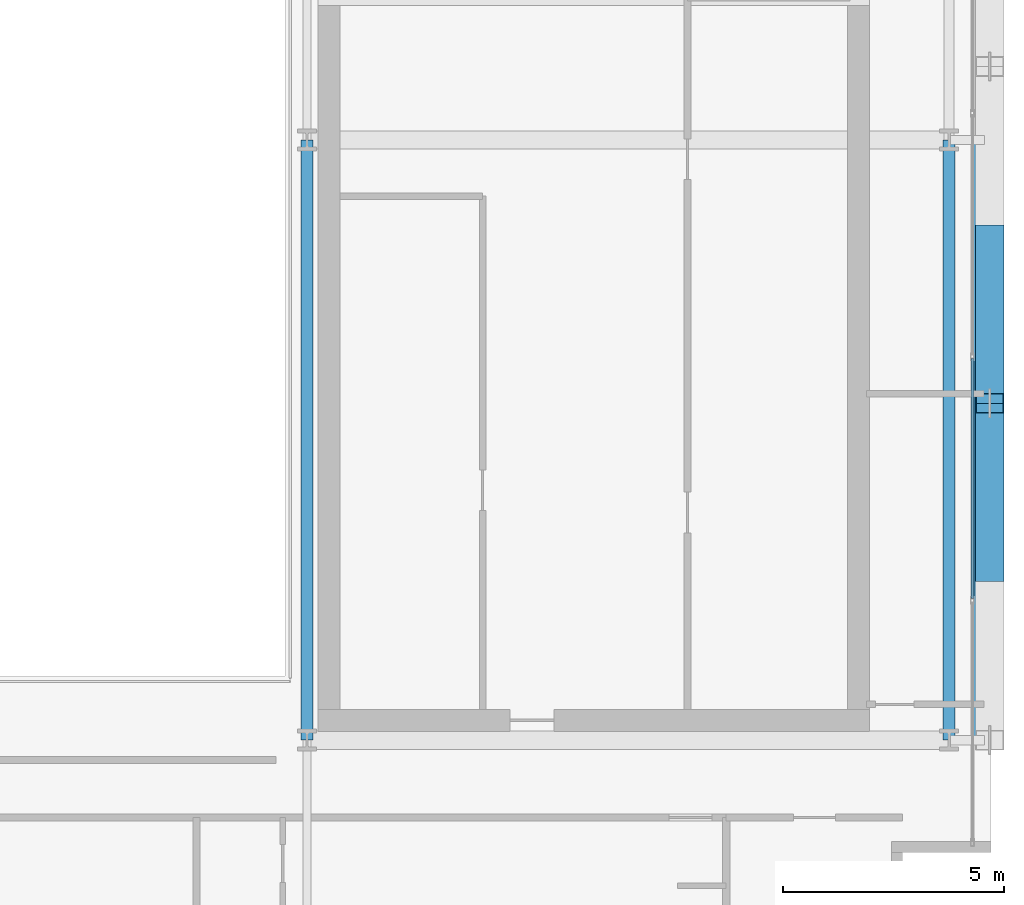
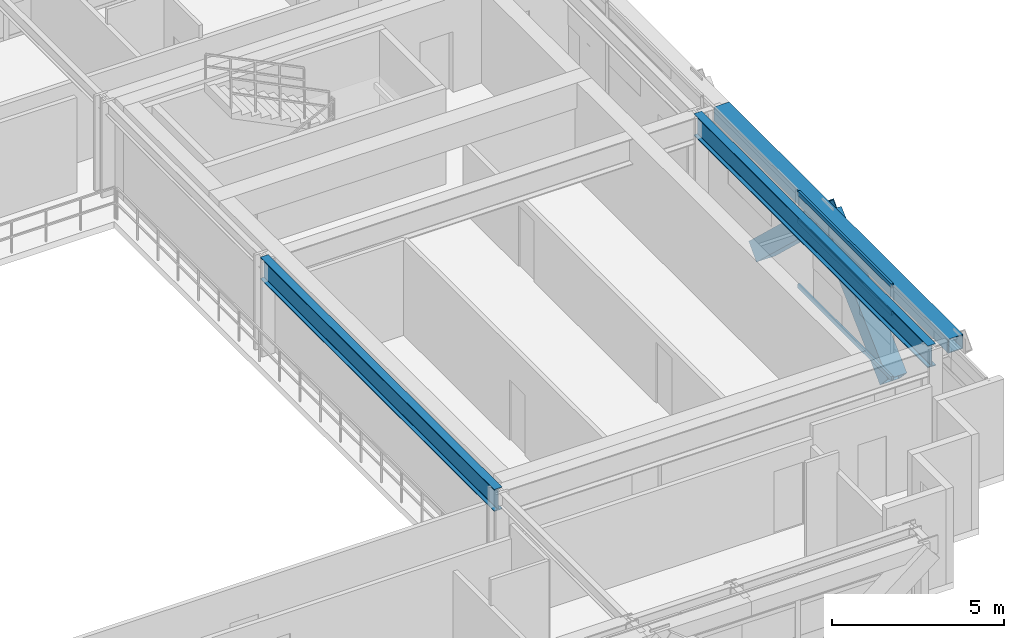
# One storey, part 12 of 34: 5 members, 3 beams, 1 element without a shape of its own.
"""IFC4 building model written with IfcOpenShell, lengths in metres."""

from ifc_helpers import new_model, si_unit, direction, frame, origin, origin_2d, place, context, subcontext, project, spatial, hollow_rectangle, i_section, extrude, source, transform, mapped, material, layer, layer_set, material_profile, profile_set, type_object, element, aggregate, save


model = new_model("IFC4")

# Units and contexts
model_context = context("Model", 3, precision=1e-05, world=origin(), true_north=direction((0.0, 1.0)))
body_context = subcontext(model_context, "Body", "Model", "MODEL_VIEW")
ifc_project = project(units=[si_unit("LENGTHUNIT", "METRE"), si_unit("AREAUNIT", "SQUARE_METRE"), si_unit("VOLUMEUNIT", "CUBIC_METRE"), si_unit("PLANEANGLEUNIT", "RADIAN"), si_unit("MASSUNIT", "GRAM", prefix="KILO")], contexts=[model_context])

# Site, building, storey
site_placement = place(None, origin())
site = spatial("IfcSite", under=ifc_project, at=site_placement, CompositionType="ELEMENT")
building_placement = place(site_placement, origin())
building = spatial("IfcBuilding", under=site, at=building_placement, Name="Ocotamira Hotel", CompositionType="ELEMENT")
storey_placement = place(building_placement, frame((0.0, 0.0, 163.199951171875)))
storey = spatial("IfcBuildingStorey", under=building, at=storey_placement, Name="L40", CompositionType="ELEMENT", Elevation=163.199951171875)

# Beams
ifc_material_1 = material(Name="Steel ASTM A992 Grade 50", Category="steel")
ifc_material_profile_1 = material_profile(ifc_material_1, i_section(OverallWidth=0.26611328125, OverallDepth=0.779052734375, WebThickness=0.0166015625, FlangeThickness=0.030029296875, FilletRadius=0.01806640625, at=origin_2d()), Name="W30X148")
ifc_profile_set_1 = profile_set([ifc_material_profile_1], Name="Steel ASTM A992 Grade 50")
beam_type_1 = type_object("IfcBeamType", Name="BM-GIRD-W30X148", PredefinedType="BEAM", material=ifc_profile_set_1)
shared_shape_1 = source(origin(), body_context, "Body", "SweptSolid", [
    extrude(i_section(OverallWidth=0.26611328125, OverallDepth=0.779052734375, WebThickness=0.0166015625, FlangeThickness=0.030029296875, FilletRadius=0.01806640625, at=origin_2d()), origin(), (0.0, 0.0, 1.0), 13.599853515625),
])
for number, where, z_axis, x_axis, name in (
    (1, (40.5, 14.550048828125, 2.98046875), (0.0, 1.0, 0.0), (-1.0, 0.0, 0.0), "L40 Beam X40.5 Y14.55-28.15"),
    (2, (55.050048828125, 14.550048828125, 2.98046875), (0.0, 1.0, 0.0), (-1.0, 0.0, 0.0), "L40 Beam X55.05 Y14.55-28.15"),
):
    element("IfcBeam", number, at=place(storey_placement, frame(where, z_axis=z_axis, x_axis=x_axis)), inside=storey, type_object=beam_type_1, Name=name, PredefinedType="BEAM", context=body_context, shape_type="MappedRepresentation", body=[
        mapped(shared_shape_1, transform((0.0, 0.0, 0.0), scale=1.0)),
    ])
ifc_material_2 = material(Name="Steel ASTM A500 Grade C", Category="steel")
ifc_material_profile_2 = material_profile(ifc_material_2, hollow_rectangle(XDim=0.5, YDim=0.5, WallThickness=0.02001953125, at=origin_2d()), Name="HSS500X500X20")
ifc_profile_set_2 = profile_set([ifc_material_profile_2], Name="Steel ASTM A500 Grade C")
beam_type_2 = type_object("IfcBeamType", Name="BM-SPAN-HSS500", PredefinedType="USERDEFINED", material=ifc_profile_set_2)
shared_shape_2 = source(origin(), body_context, "Body", "SweptSolid", [
    extrude(hollow_rectangle(XDim=0.5, YDim=0.5, WallThickness=0.02001953125, at=origin_2d()), origin(), (0.0, 0.0, 1.0), 13.599853515625),
])
beam_placement = place(storey_placement, frame((55.85009765625, 14.550048828125, 3.1201171875), z_axis=(0.0, 1.0, 0.0), x_axis=(-1.0, 0.0, 0.0)))
element("IfcBeam", 3, at=beam_placement, inside=storey, type_object=beam_type_2, Name="L40 Edge Spandrel E Y14.55-28.15", ObjectType="SPANDREL", PredefinedType="USERDEFINED", context=body_context, shape_type="MappedRepresentation", body=[
    mapped(shared_shape_2, transform((0.0, 0.0, 0.0), scale=1.0)),
])

# Members
ifc_material_3 = material(Name="Pale-metal coated steel ASTM A913 Grade 65", Category="steel")
ifc_material_profile_3 = material_profile(ifc_material_3, hollow_rectangle(XDim=0.64990234375, YDim=0.64990234375, WallThickness=0.02197265625, at=origin_2d()), Name="BOX650X650X22")
ifc_profile_set_3 = profile_set([ifc_material_profile_3], Name="Pale-metal coated steel ASTM A913 Grade 65")
member_type_1 = type_object("IfcMemberType", Name="MEM-EXO-BOX650", PredefinedType="BRACE", material=ifc_profile_set_3)
shared_shape_3 = source(origin(), body_context, "Body", "SweptSolid", [
    extrude(hollow_rectangle(XDim=0.64990234375, YDim=0.64990234375, WallThickness=0.02197265625, at=origin_2d()), origin(), (0.0, 0.0, 1.0), 5.24658203125),
])
for number, where, z_axis, x_axis, name in (
    (4, (55.969970703125, 18.36669921875, -0.47998046875), (0.0, 0.727442733726, 0.686168397078), (-1.0, 0.0, 0.0), "L40 Exoskeleton Diagrid E0.2"),
    (5, (55.969970703125, 26.0, -0.47998046875), (0.0, -0.727442733726, 0.686168397078), (1.0, 0.0, 0.0), "L40 Exoskeleton Diagrid E1.1"),
):
    element("IfcMember", number, at=place(storey_placement, frame(where, z_axis=z_axis, x_axis=x_axis)), inside=storey, type_object=member_type_1, Name=name, PredefinedType="BRACE", context=body_context, shape_type="MappedRepresentation", body=[
        mapped(shared_shape_3, transform((0.0, 0.0, 0.0), scale=1.0)),
    ])

# Curtain wall, members
ifc_material_4 = material(Name="Anodised pale-metal aluminium and solar glass", Category="aluminium")
ifc_layer = layer(ifc_material_4, 0.199951171875)
ifc_layer_set = layer_set([ifc_layer], Name="Anodised pale-metal aluminium and solar glass")
curtain_wall_type = type_object("IfcCurtainWallType", Name="CW-SYS4-Z3", PredefinedType="NOTDEFINED", material=ifc_layer_set)
curtain_wall_placement = place(storey_placement, origin())
curtain_wall = element("IfcCurtainWall", 6, at=curtain_wall_placement, inside=storey, type_object=curtain_wall_type, Name="L40 Curtain Wall CW-4 CW-L40-E", PredefinedType="NOTDEFINED")
ifc_material_5 = material(Name="Anodised pale-metal aluminium 6063-T6", Category="aluminium")
ifc_material_profile_4 = material_profile(ifc_material_5, hollow_rectangle(XDim=0.074951171875, YDim=0.14990234375, WallThickness=0.006103515625, at=origin_2d()), Name="HSS150X75X6")
ifc_profile_set_4 = profile_set([ifc_material_profile_4], Name="Anodised pale-metal aluminium 6063-T6")
member_type_2 = type_object("IfcMemberType", Name="CWT-150X75", PredefinedType="USERDEFINED", material=ifc_profile_set_4)
shared_shape_4 = source(origin(), body_context, "Body", "SweptSolid", [
    extrude(hollow_rectangle(XDim=0.074951171875, YDim=0.14990234375, WallThickness=0.006103515625, at=origin_2d()), origin(), (0.0, 0.0, 1.0), 5.43994140625),
])
member_1_placement = place(storey_placement, frame((55.580078125, 17.760009765625, 0.03759765625), z_axis=(0.0, 1.0, 0.0), x_axis=(-1.0, 0.0, 0.0)))
member_1 = element("IfcMember", 7, at=member_1_placement, type_object=member_type_2, Name="CW-4 transom 2.1", ObjectType="TRANSOM", PredefinedType="USERDEFINED", context=body_context, shape_type="MappedRepresentation", body=[
    mapped(shared_shape_4, transform((0.0, 0.0, 0.0), scale=1.0)),
])
member_2_placement = place(storey_placement, frame((55.580078125, 17.760009765625, 2.35009765625), z_axis=(0.0, 1.0, 0.0), x_axis=(-1.0, 0.0, 0.0)))
member_2 = element("IfcMember", 8, at=member_2_placement, type_object=member_type_2, Name="CW-4 transom 2.2", ObjectType="TRANSOM", PredefinedType="USERDEFINED", context=body_context, shape_type="MappedRepresentation", body=[
    mapped(shared_shape_4, transform((0.0, 0.0, 0.0), scale=1.0)),
])
member_3_placement = place(storey_placement, frame((55.580078125, 17.760009765625, 3.33251953125), z_axis=(0.0, 1.0, 0.0), x_axis=(-1.0, 0.0, 0.0)))
member_3 = element("IfcMember", 9, at=member_3_placement, type_object=member_type_2, Name="CW-4 transom 2.3", ObjectType="TRANSOM", PredefinedType="USERDEFINED", context=body_context, shape_type="MappedRepresentation", body=[
    mapped(shared_shape_4, transform((0.0, 0.0, 0.0), scale=1.0)),
])
aggregate(curtain_wall, [member_1, member_2, member_3])

save(model, "model.ifc")
